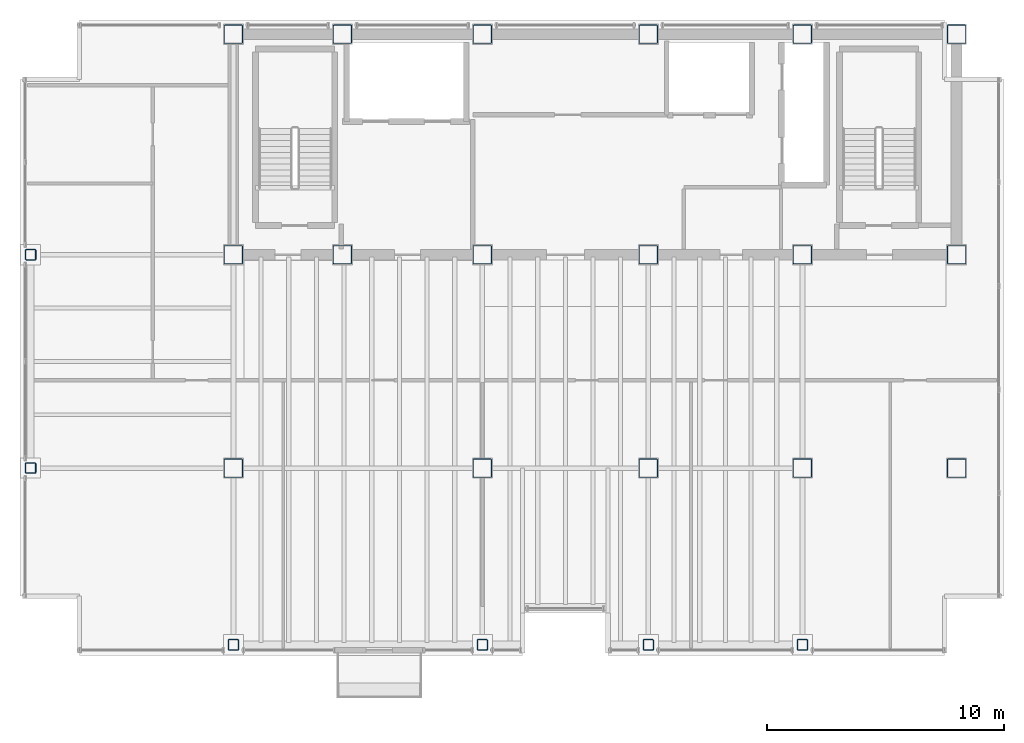
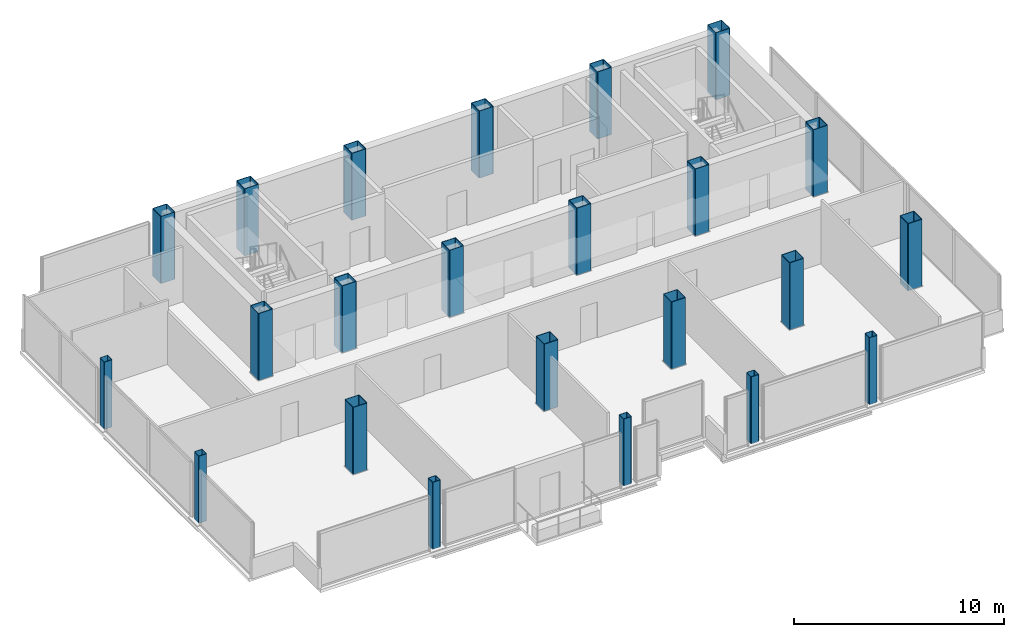
# One storey, part 1 of 16: 23 columns.
"""IFC4 building model written with IfcOpenShell, lengths in metres."""

from ifc_helpers import new_model, si_unit, direction, frame, origin, origin_2d, place, context, subcontext, project, spatial, hollow_rectangle, extrude, material, material_profile, profile_set, type_object, element, save


model = new_model("IFC4")

# Units and contexts
model_context = context("Model", 3, precision=1e-05, world=origin(), true_north=direction((0.0, 1.0)))
body_context = subcontext(model_context, "Body", "Model", "MODEL_VIEW")
ifc_project = project(units=[si_unit("LENGTHUNIT", "METRE"), si_unit("AREAUNIT", "SQUARE_METRE"), si_unit("VOLUMEUNIT", "CUBIC_METRE"), si_unit("PLANEANGLEUNIT", "RADIAN"), si_unit("MASSUNIT", "GRAM", prefix="KILO")], contexts=[model_context])

# Site, building, storey
site_placement = place(None, origin())
site = spatial("IfcSite", under=ifc_project, at=site_placement, CompositionType="ELEMENT")
building_placement = place(site_placement, origin())
building = spatial("IfcBuilding", under=site, at=building_placement, Name="Noeulbin Bourse Tower", CompositionType="ELEMENT")
storey_placement = place(building_placement, frame((0.0, 0.0, 234.5)))
storey = spatial("IfcBuildingStorey", under=building, at=storey_placement, Name="L58", CompositionType="ELEMENT", Elevation=234.5)

# Columns
ifc_material = material(Name="Steel S355", Category="steel")
ifc_material_profile_1 = material_profile(ifc_material, hollow_rectangle(XDim=0.449951171875, YDim=0.449951171875, WallThickness=0.02197265625, InnerFilletRadius=0.02197265625, OuterFilletRadius=0.0439453125, at=origin_2d()), Name="SHS-450x450x22", Category="LoadBearing")
ifc_profile_set_1 = profile_set([ifc_material_profile_1], Name="Steel S355")
column_type_1 = type_object("IfcColumnType", Name="COL-PER-Z3", PredefinedType="COLUMN", material=ifc_profile_set_1)
for number, where, z_axis, x_axis, name in (
    (1, (4.949951171875, 20.0, 0.0), (0.0, 0.0, 1.0), (1.0, 0.0, 0.0), "Tower Perimeter Column COL-PER-Z3 01"),
    (2, (4.949951171875, 29.0, 0.0), (0.0, 0.0, 1.0), (1.0, 0.0, 0.0), "Tower Perimeter Column COL-PER-Z3 02"),
    (3, (13.5, 12.550048828125, 0.0), (0.0, 0.0, 1.0), (1.0, 0.0, 0.0), "Tower Perimeter Column COL-PER-Z3 03"),
    (4, (24.0, 12.550048828125, 0.0), (0.0, 0.0, 1.0), (1.0, 0.0, 0.0), "Tower Perimeter Column COL-PER-Z3 04"),
    (5, (31.0, 12.550048828125, 0.0), (0.0, 0.0, 1.0), (1.0, 0.0, 0.0), "Tower Perimeter Column COL-PER-Z3 05"),
    (6, (37.5, 12.550048828125, 0.0), (0.0, 0.0, 1.0), (1.0, 0.0, 0.0), "Tower Perimeter Column COL-PER-Z3 06"),
):
    element("IfcColumn", number, at=place(storey_placement, frame(where, z_axis=z_axis, x_axis=x_axis)), inside=storey, type_object=column_type_1, Name=name, PredefinedType="COLUMN", context=body_context, shape_type="SweptSolid", body=[
        extrude(hollow_rectangle(XDim=0.449951171875, YDim=0.449951171875, WallThickness=0.02197265625, InnerFilletRadius=0.02197265625, OuterFilletRadius=0.0439453125, at=origin_2d()), origin(), (0.0, 0.0, 1.0), 3.89990234375),
    ])
ifc_material_profile_2 = material_profile(ifc_material, hollow_rectangle(XDim=0.800048828125, YDim=0.800048828125, WallThickness=0.031982421875, InnerFilletRadius=0.01611328125, OuterFilletRadius=0.048095703125, at=origin_2d()), Name="BOX-800x800x32", Category="LoadBearing")
ifc_profile_set_2 = profile_set([ifc_material_profile_2], Name="Steel S355")
column_type_2 = type_object("IfcColumnType", Name="COL-TRK-Z3", PredefinedType="COLUMN", material=ifc_profile_set_2)
for number, where, z_axis, x_axis, name in (
    (7, (13.5, 29.0, 0.0), (0.0, 0.0, 1.0), (1.0, 0.0, 0.0), "Tower Trunk Mega-Column COL-TRK-Z3 01"),
    (8, (13.5, 38.300048828125, 0.0), (0.0, 0.0, 1.0), (1.0, 0.0, 0.0), "Tower Trunk Mega-Column COL-TRK-Z3 02"),
    (9, (18.10009765625, 29.0, 0.0), (0.0, 0.0, 1.0), (1.0, 0.0, 0.0), "Tower Trunk Mega-Column COL-TRK-Z3 03"),
    (10, (18.10009765625, 38.300048828125, 0.0), (0.0, 0.0, 1.0), (1.0, 0.0, 0.0), "Tower Trunk Mega-Column COL-TRK-Z3 04"),
    (11, (24.0, 29.0, 0.0), (0.0, 0.0, 1.0), (1.0, 0.0, 0.0), "Tower Trunk Mega-Column COL-TRK-Z3 05"),
    (12, (24.0, 38.300048828125, 0.0), (0.0, 0.0, 1.0), (1.0, 0.0, 0.0), "Tower Trunk Mega-Column COL-TRK-Z3 06"),
    (13, (31.0, 29.0, 0.0), (0.0, 0.0, 1.0), (1.0, 0.0, 0.0), "Tower Trunk Mega-Column COL-TRK-Z3 07"),
    (14, (31.0, 38.300048828125, 0.0), (0.0, 0.0, 1.0), (1.0, 0.0, 0.0), "Tower Trunk Mega-Column COL-TRK-Z3 08"),
    (15, (37.5, 29.0, 0.0), (0.0, 0.0, 1.0), (1.0, 0.0, 0.0), "Tower Trunk Mega-Column COL-TRK-Z3 09"),
    (16, (37.5, 38.300048828125, 0.0), (0.0, 0.0, 1.0), (1.0, 0.0, 0.0), "Tower Trunk Mega-Column COL-TRK-Z3 10"),
    (17, (44.0, 29.0, 0.0), (0.0, 0.0, 1.0), (1.0, 0.0, 0.0), "Tower Trunk Mega-Column COL-TRK-Z3 11"),
    (18, (44.0, 38.300048828125, 0.0), (0.0, 0.0, 1.0), (1.0, 0.0, 0.0), "Tower Trunk Mega-Column COL-TRK-Z3 12"),
    (19, (13.5, 20.0, 0.0), (0.0, 0.0, 1.0), (1.0, 0.0, 0.0), "Tower Trunk Mega-Column COL-TRK-Z3 13"),
    (20, (24.0, 20.0, 0.0), (0.0, 0.0, 1.0), (1.0, 0.0, 0.0), "Tower Trunk Mega-Column COL-TRK-Z3 14"),
    (21, (31.0, 20.0, 0.0), (0.0, 0.0, 1.0), (1.0, 0.0, 0.0), "Tower Trunk Mega-Column COL-TRK-Z3 15"),
    (22, (37.5, 20.0, 0.0), (0.0, 0.0, 1.0), (1.0, 0.0, 0.0), "Tower Trunk Mega-Column COL-TRK-Z3 16"),
    (23, (44.0, 20.0, 0.0), (0.0, 0.0, 1.0), (1.0, 0.0, 0.0), "Tower Trunk Mega-Column COL-TRK-Z3 17"),
):
    element("IfcColumn", number, at=place(storey_placement, frame(where, z_axis=z_axis, x_axis=x_axis)), inside=storey, type_object=column_type_2, Name=name, PredefinedType="COLUMN", context=body_context, shape_type="SweptSolid", body=[
        extrude(hollow_rectangle(XDim=0.800048828125, YDim=0.800048828125, WallThickness=0.031982421875, InnerFilletRadius=0.01611328125, OuterFilletRadius=0.048095703125, at=origin_2d()), origin(), (0.0, 0.0, 1.0), 3.89990234375),
    ])

save(model, "model.ifc")
